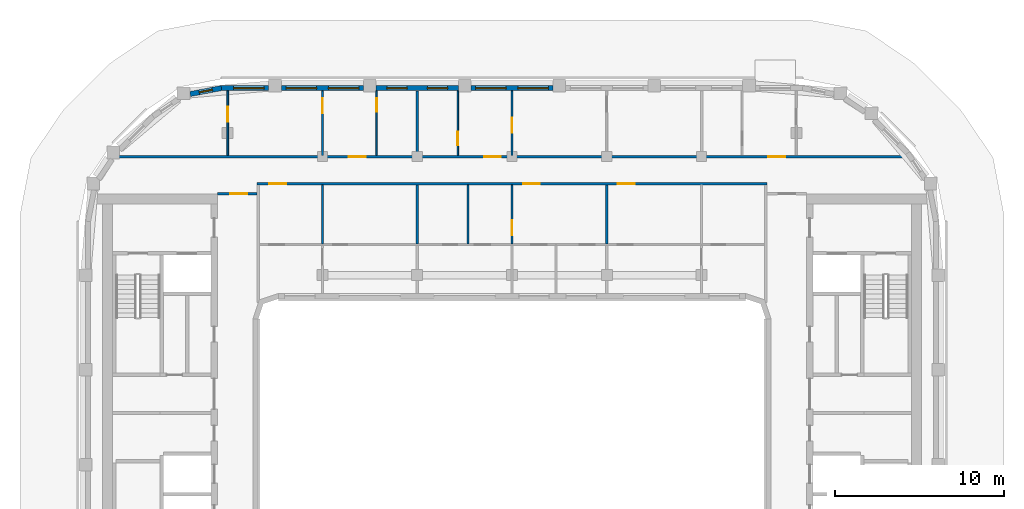
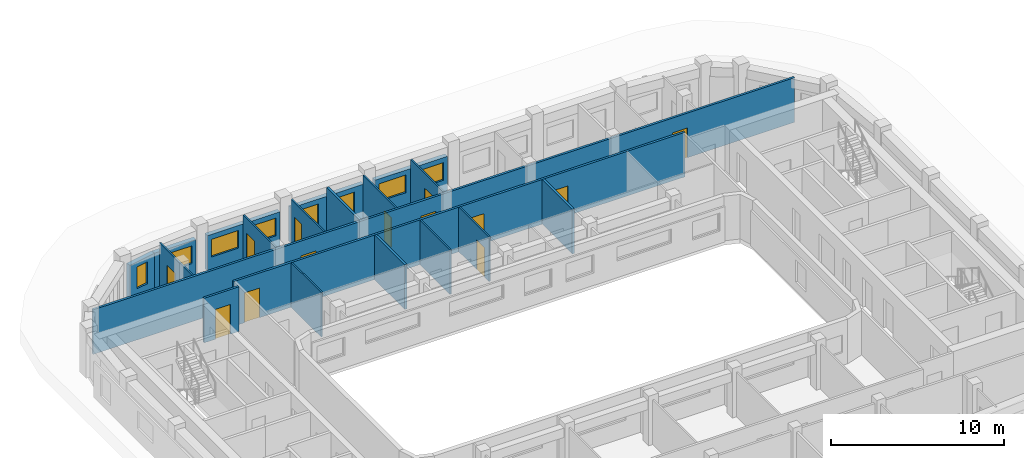
# One storey, part 7 of 14: 19 walls, 13 doors, 8 windows, 21 openings.
"""IFC4 building model written with IfcOpenShell, lengths in metres."""

from ifc_helpers import new_model, si_unit, direction, frame, frame_2d, origin, place, context, subcontext, project, spatial, rectangle, extrude, material, layer, layer_set, type_object, element, fill, save


model = new_model("IFC4")

# Units and contexts
model_context = context("Model", 3, precision=1e-05, world=origin(), true_north=direction((0.0, 1.0)))
body_context = subcontext(model_context, "Body", "Model", "MODEL_VIEW")
ifc_project = project(units=[si_unit("LENGTHUNIT", "METRE"), si_unit("AREAUNIT", "SQUARE_METRE"), si_unit("VOLUMEUNIT", "CUBIC_METRE"), si_unit("PLANEANGLEUNIT", "RADIAN"), si_unit("MASSUNIT", "GRAM", prefix="KILO")], contexts=[model_context])

# Site, building, storey
site_placement = place(None, origin())
site = spatial("IfcSite", under=ifc_project, at=site_placement, CompositionType="ELEMENT")
building_placement = place(site_placement, origin())
building = spatial("IfcBuilding", under=site, at=building_placement, Name="Kiln Ring Residences", CompositionType="ELEMENT")
storey_placement = place(building_placement, frame((0.0, 0.0, 280.199951171875)))
storey = spatial("IfcBuildingStorey", under=building, at=storey_placement, Name="L73", CompositionType="ELEMENT", Elevation=280.199951171875)

# Wall, openings, windows
ifc_material_1 = material(Name="Brick masonry, dark clay brick", Category="masonry")
ifc_layer_1 = layer(ifc_material_1, 0.300048828125)
ifc_layer_set_1 = layer_set([ifc_layer_1], Name="EW-300 BRICK WALL")
wall_type_1 = type_object("IfcWallType", Name="EW-300 BRICK WALL", PredefinedType="SOLIDWALL", material=ifc_layer_set_1)
wall_1_placement = place(storey_placement, frame((2.425048828125, 19.449951171875, 0.0), z_axis=(0.0, 0.0, 1.0), x_axis=(-1.0, 0.0, 0.0)))
wall_1 = element("IfcWall", 1, at=wall_1_placement, inside=storey, type_object=wall_type_1, Name="Facade wall L73 29", PredefinedType="SOLIDWALL", context=body_context, shape_type="SweptSolid", body=[
    extrude(rectangle(XDim=4.85009765625, YDim=0.300048828125, at=frame_2d((2.425048828125, 0.0))), origin(), (0.0, 0.0, 1.0), 2.5),
])
opening_1_placement = place(wall_1_placement, frame((0.27490234375, 0.0, 0.89990234375)))
opening_1 = element("IfcOpeningElement", 2, at=opening_1_placement, cuts=wall_1, Name="Opening W2", PredefinedType="OPENING", context=body_context, shape_type="SweptSolid", body=[
    extrude(rectangle(XDim=1.800048828125, YDim=1.25, at=frame_2d((0.89990234375, 0.625))), frame((0.0, 0.159912109375, 0.0), z_axis=(0.0, -1.0, 0.0), x_axis=(1.0, 0.0, 0.0)), (0.0, 0.0, 1.0), 0.320068359375),
])
opening_2_placement = place(wall_1_placement, frame((2.77490234375, 0.0, 0.89990234375)))
opening_2 = element("IfcOpeningElement", 3, at=opening_2_placement, cuts=wall_1, Name="Opening W2", PredefinedType="OPENING", context=body_context, shape_type="SweptSolid", body=[
    extrude(rectangle(XDim=1.800048828125, YDim=1.25, at=frame_2d((0.89990234375, 0.625))), frame((0.0, 0.159912109375, 0.0), z_axis=(0.0, -1.0, 0.0), x_axis=(1.0, 0.0, 0.0)), (0.0, 0.0, 1.0), 0.320068359375),
])
ifc_material_2 = material(Name="Aluminium frame with double glazing", Category="aluminium")
window_type_1 = type_object("IfcWindowType", Name="WINDOW 1800 x 1250", PartitioningType="SINGLE_PANEL", PredefinedType="WINDOW", material=ifc_material_2)
window_1_placement = place(opening_1_placement, origin())
window_1 = element("IfcWindow", 4, at=window_1_placement, inside=storey, type_object=window_type_1, Name="Window L73 26", OverallHeight=1.25, OverallWidth=1.800048828125, PartitioningType="SINGLE_PANEL", PredefinedType="WINDOW", context=body_context, shape_type="SweptSolid", body=[
    extrude(rectangle(XDim=1.800048828125, YDim=1.25, at=frame_2d((0.89990234375, 0.625))), frame((0.0, 0.030029296875, 0.0), z_axis=(0.0, -1.0, 0.0), x_axis=(1.0, 0.0, 0.0)), (0.0, 0.0, 1.0), 0.06005859375),
])
fill(opening_1, window_1)
window_2_placement = place(opening_2_placement, origin())
window_2 = element("IfcWindow", 5, at=window_2_placement, inside=storey, type_object=window_type_1, Name="Window L73 27", OverallHeight=1.25, OverallWidth=1.800048828125, PartitioningType="SINGLE_PANEL", PredefinedType="WINDOW", context=body_context, shape_type="SweptSolid", body=[
    extrude(rectangle(XDim=1.800048828125, YDim=1.25, at=frame_2d((0.89990234375, 0.625))), frame((0.0, 0.030029296875, 0.0), z_axis=(0.0, -1.0, 0.0), x_axis=(1.0, 0.0, 0.0)), (0.0, 0.0, 1.0), 0.06005859375),
])
fill(opening_2, window_2)

wall_2_placement = place(storey_placement, frame((-3.175048828125, 19.449951171875, 0.0), z_axis=(0.0, 0.0, 1.0), x_axis=(-1.0, 0.0, 0.0)))
wall_2 = element("IfcWall", 6, at=wall_2_placement, inside=storey, type_object=wall_type_1, Name="Facade wall L73 30", PredefinedType="SOLIDWALL", context=body_context, shape_type="SweptSolid", body=[
    extrude(rectangle(XDim=4.849853515625, YDim=0.300048828125, at=frame_2d((2.4248046875, 0.0))), origin(), (0.0, 0.0, 1.0), 2.5),
])
opening_3_placement = place(wall_2_placement, frame((0.625, 0.0, 0.60009765625)))
opening_3 = element("IfcOpeningElement", 7, at=opening_3_placement, cuts=wall_2, Name="Opening W1", PredefinedType="OPENING", context=body_context, shape_type="SweptSolid", body=[
    extrude(rectangle(XDim=1.199951171875, YDim=1.550048828125, at=frame_2d((0.60009765625, 0.77490234375))), frame((0.0, 0.159912109375, 0.0), z_axis=(0.0, -1.0, 0.0), x_axis=(1.0, 0.0, 0.0)), (0.0, 0.0, 1.0), 0.320068359375),
])
opening_4_placement = place(wall_2_placement, frame((3.02490234375, 0.0, 0.60009765625)))
opening_4 = element("IfcOpeningElement", 8, at=opening_4_placement, cuts=wall_2, Name="Opening W1", PredefinedType="OPENING", context=body_context, shape_type="SweptSolid", body=[
    extrude(rectangle(XDim=1.199951171875, YDim=1.550048828125, at=frame_2d((0.60009765625, 0.77490234375))), frame((0.0, 0.159912109375, 0.0), z_axis=(0.0, -1.0, 0.0), x_axis=(1.0, 0.0, 0.0)), (0.0, 0.0, 1.0), 0.320068359375),
])
ifc_material_3 = material(Name="Aluminium frame with double glazing", Category="aluminium")
window_type_2 = type_object("IfcWindowType", Name="WINDOW 1200 x 1550", PartitioningType="SINGLE_PANEL", PredefinedType="WINDOW", material=ifc_material_3)
window_3_placement = place(opening_3_placement, origin())
window_3 = element("IfcWindow", 9, at=window_3_placement, inside=storey, type_object=window_type_2, Name="Window L73 28", OverallHeight=1.550048828125, OverallWidth=1.199951171875, PartitioningType="SINGLE_PANEL", PredefinedType="WINDOW", context=body_context, shape_type="SweptSolid", body=[
    extrude(rectangle(XDim=1.199951171875, YDim=1.550048828125, at=frame_2d((0.60009765625, 0.77490234375))), frame((0.0, 0.030029296875, 0.0), z_axis=(0.0, -1.0, 0.0), x_axis=(1.0, 0.0, 0.0)), (0.0, 0.0, 1.0), 0.06005859375),
])
fill(opening_3, window_3)
window_4_placement = place(opening_4_placement, origin())
window_4 = element("IfcWindow", 10, at=window_4_placement, inside=storey, type_object=window_type_2, Name="Window L73 29", OverallHeight=1.550048828125, OverallWidth=1.199951171875, PartitioningType="SINGLE_PANEL", PredefinedType="WINDOW", context=body_context, shape_type="SweptSolid", body=[
    extrude(rectangle(XDim=1.199951171875, YDim=1.550048828125, at=frame_2d((0.60009765625, 0.77490234375))), frame((0.0, 0.030029296875, 0.0), z_axis=(0.0, -1.0, 0.0), x_axis=(1.0, 0.0, 0.0)), (0.0, 0.0, 1.0), 0.06005859375),
])
fill(opening_4, window_4)

wall_3_placement = place(storey_placement, frame((-8.77490234375, 19.449951171875, 0.0), z_axis=(0.0, 0.0, 1.0), x_axis=(-1.0, 0.0, 0.0)))
wall_3 = element("IfcWall", 11, at=wall_3_placement, inside=storey, type_object=wall_type_1, Name="Facade wall L73 31", PredefinedType="SOLIDWALL", context=body_context, shape_type="SweptSolid", body=[
    extrude(rectangle(XDim=4.85009765625, YDim=0.300048828125, at=frame_2d((2.425048828125, 0.0))), origin(), (0.0, 0.0, 1.0), 2.5),
])
opening_5_placement = place(wall_3_placement, frame((0.27490234375, 0.0, 0.89990234375)))
opening_5 = element("IfcOpeningElement", 12, at=opening_5_placement, cuts=wall_3, Name="Opening W2", PredefinedType="OPENING", context=body_context, shape_type="SweptSolid", body=[
    extrude(rectangle(XDim=1.800048828125, YDim=1.25, at=frame_2d((0.89990234375, 0.625))), frame((0.0, 0.159912109375, 0.0), z_axis=(0.0, -1.0, 0.0), x_axis=(1.0, 0.0, 0.0)), (0.0, 0.0, 1.0), 0.320068359375),
])
opening_6_placement = place(wall_3_placement, frame((2.77490234375, 0.0, 0.89990234375)))
opening_6 = element("IfcOpeningElement", 13, at=opening_6_placement, cuts=wall_3, Name="Opening W2", PredefinedType="OPENING", context=body_context, shape_type="SweptSolid", body=[
    extrude(rectangle(XDim=1.800048828125, YDim=1.25, at=frame_2d((0.89990234375, 0.625))), frame((0.0, 0.159912109375, 0.0), z_axis=(0.0, -1.0, 0.0), x_axis=(1.0, 0.0, 0.0)), (0.0, 0.0, 1.0), 0.320068359375),
])
window_5_placement = place(opening_5_placement, origin())
window_5 = element("IfcWindow", 14, at=window_5_placement, inside=storey, type_object=window_type_1, Name="Window L73 30", OverallHeight=1.25, OverallWidth=1.800048828125, PartitioningType="SINGLE_PANEL", PredefinedType="WINDOW", context=body_context, shape_type="SweptSolid", body=[
    extrude(rectangle(XDim=1.800048828125, YDim=1.25, at=frame_2d((0.89990234375, 0.625))), frame((0.0, 0.030029296875, 0.0), z_axis=(0.0, -1.0, 0.0), x_axis=(1.0, 0.0, 0.0)), (0.0, 0.0, 1.0), 0.06005859375),
])
fill(opening_5, window_5)
window_6_placement = place(opening_6_placement, origin())
window_6 = element("IfcWindow", 15, at=window_6_placement, inside=storey, type_object=window_type_1, Name="Window L73 31", OverallHeight=1.25, OverallWidth=1.800048828125, PartitioningType="SINGLE_PANEL", PredefinedType="WINDOW", context=body_context, shape_type="SweptSolid", body=[
    extrude(rectangle(XDim=1.800048828125, YDim=1.25, at=frame_2d((0.89990234375, 0.625))), frame((0.0, 0.030029296875, 0.0), z_axis=(0.0, -1.0, 0.0), x_axis=(1.0, 0.0, 0.0)), (0.0, 0.0, 1.0), 0.06005859375),
])
fill(opening_6, window_6)

# Wall, opening, window
wall_4_placement = place(storey_placement, frame((-14.375, 19.449951171875, 0.0), z_axis=(0.0, 0.0, 1.0), x_axis=(-1.0, 0.0, 0.0)))
wall_4 = element("IfcWall", 16, at=wall_4_placement, inside=storey, type_object=wall_type_1, Name="Facade wall L73 32", PredefinedType="SOLIDWALL", context=body_context, shape_type="SweptSolid", body=[
    extrude(rectangle(XDim=2.824951171875, YDim=0.300048828125, at=frame_2d((1.41259765625, 0.0))), origin(), (0.0, 0.0, 1.0), 2.5),
])
opening_7_placement = place(wall_4_placement, frame((0.27490234375, 0.0, 0.89990234375)))
opening_7 = element("IfcOpeningElement", 17, at=opening_7_placement, cuts=wall_4, Name="Opening W2", PredefinedType="OPENING", context=body_context, shape_type="SweptSolid", body=[
    extrude(rectangle(XDim=1.800048828125, YDim=1.25, at=frame_2d((0.89990234375, 0.625))), frame((0.0, 0.159912109375, 0.0), z_axis=(0.0, -1.0, 0.0), x_axis=(1.0, 0.0, 0.0)), (0.0, 0.0, 1.0), 0.320068359375),
])
window_7_placement = place(opening_7_placement, origin())
window_7 = element("IfcWindow", 18, at=window_7_placement, inside=storey, type_object=window_type_1, Name="Window L73 32", OverallHeight=1.25, OverallWidth=1.800048828125, PartitioningType="SINGLE_PANEL", PredefinedType="WINDOW", context=body_context, shape_type="SweptSolid", body=[
    extrude(rectangle(XDim=1.800048828125, YDim=1.25, at=frame_2d((0.89990234375, 0.625))), frame((0.0, 0.030029296875, 0.0), z_axis=(0.0, -1.0, 0.0), x_axis=(1.0, 0.0, 0.0)), (0.0, 0.0, 1.0), 0.06005859375),
])
fill(opening_7, window_7)

wall_5_placement = place(storey_placement, frame((-17.171875, 19.45263671875, 0.0), z_axis=(0.0, 0.0, 1.0), x_axis=(-0.982284001233, -0.187398348234, 0.0)))
wall_5 = element("IfcWall", 19, at=wall_5_placement, inside=storey, type_object=wall_type_1, Name="Facade wall L73 33", PredefinedType="SOLIDWALL", context=body_context, shape_type="SweptSolid", body=[
    extrude(rectangle(XDim=1.88134765625, YDim=0.300048828125, at=frame_2d((0.940673828125, 0.0))), origin(), (0.0, 0.0, 1.0), 2.5),
])
opening_8_placement = place(wall_5_placement, frame((0.54052734375, 0.0, 0.60009765625)))
opening_8 = element("IfcOpeningElement", 20, at=opening_8_placement, cuts=wall_5, Name="Opening W5", PredefinedType="OPENING", context=body_context, shape_type="SweptSolid", body=[
    extrude(rectangle(XDim=0.800048828125, YDim=1.550048828125, at=frame_2d((0.39990234375, 0.77490234375))), frame((0.0, 0.159912109375, 0.0), z_axis=(0.0, -1.0, 0.0), x_axis=(1.0, 0.0, 0.0)), (0.0, 0.0, 1.0), 0.320068359375),
])
ifc_material_4 = material(Name="Aluminium frame with double glazing", Category="aluminium")
window_type_3 = type_object("IfcWindowType", Name="WINDOW 800 x 1550", PartitioningType="SINGLE_PANEL", PredefinedType="WINDOW", material=ifc_material_4)
window_8_placement = place(opening_8_placement, origin())
window_8 = element("IfcWindow", 21, at=window_8_placement, inside=storey, type_object=window_type_3, Name="Window L73 33", OverallHeight=1.550048828125, OverallWidth=0.800048828125, PartitioningType="SINGLE_PANEL", PredefinedType="WINDOW", context=body_context, shape_type="SweptSolid", body=[
    extrude(rectangle(XDim=0.800048828125, YDim=1.550048828125, at=frame_2d((0.39990234375, 0.77490234375))), frame((0.0, 0.030029296875, 0.0), z_axis=(0.0, -1.0, 0.0), x_axis=(1.0, 0.0, 0.0)), (0.0, 0.0, 1.0), 0.06005859375),
])
fill(opening_8, window_8)

# Wall, opening, door
ifc_material_5 = material(Name="Gypsum board on steel studs", Category="steel")
ifc_layer_2 = layer(ifc_material_5, 0.10009765625)
ifc_layer_set_2 = layer_set([ifc_layer_2], Name="PARTITION-100")
wall_type_2 = type_object("IfcWallType", Name="PARTITION-100", PredefinedType="PARTITIONING", material=ifc_layer_set_2)
wall_6_placement = place(storey_placement, frame((-16.800048828125, 15.47509765625, 0.0), z_axis=(0.0, 0.0, 1.0), x_axis=(0.0, 1.0, 0.0)))
wall_6 = element("IfcWall", 22, at=wall_6_placement, inside=storey, type_object=wall_type_2, Name="Partition 010", PredefinedType="PARTITIONING", context=body_context, shape_type="SweptSolid", body=[
    extrude(rectangle(XDim=3.804931640625, YDim=0.10009765625, at=frame_2d((1.90234375, 0.0))), origin(), (0.0, 0.0, 1.0), 3.150146484375),
])
opening_9_placement = place(wall_6_placement, frame((1.985107421875, 0.0, 0.0)))
opening_9 = element("IfcOpeningElement", 23, at=opening_9_placement, cuts=wall_6, Name="Opening L73-D022", PredefinedType="OPENING", context=body_context, shape_type="SweptSolid", body=[
    extrude(rectangle(XDim=0.89990234375, YDim=2.10009765625, at=frame_2d((0.449951171875, 1.050048828125))), frame((0.0, 0.06005859375, 0.0), z_axis=(0.0, -1.0, 0.0), x_axis=(1.0, 0.0, 0.0)), (0.0, 0.0, 1.0), 0.1201171875),
])
ifc_material_6 = material(Name="Timber door leaf", Category="wood")
door_type_1 = type_object("IfcDoorType", Name="FLAT-DOOR-900-PL", OperationType="SINGLE_SWING_LEFT", PredefinedType="DOOR", material=ifc_material_6)
door_1_placement = place(opening_9_placement, origin())
door_1 = element("IfcDoor", 24, at=door_1_placement, inside=storey, type_object=door_type_1, Name="Door L73-D022", OperationType="SINGLE_SWING_LEFT", OverallHeight=2.10009765625, OverallWidth=0.89990234375, PredefinedType="DOOR", context=body_context, shape_type="SweptSolid", body=[
    extrude(rectangle(XDim=0.89990234375, YDim=2.10009765625, at=frame_2d((0.449951171875, 1.050048828125))), frame((0.0, 0.02490234375, 0.0), z_axis=(0.0, -1.0, 0.0), x_axis=(1.0, 0.0, 0.0)), (0.0, 0.0, 1.0), 0.050048828125),
])
fill(opening_9, door_1)

# Wall
wall_7_placement = place(storey_placement, frame((-11.199951171875, 10.25, 0.0), z_axis=(0.0, 0.0, 1.0), x_axis=(0.0, 1.0, 0.0)))
element("IfcWall", 25, at=wall_7_placement, inside=storey, type_object=wall_type_2, Name="Partition 016", PredefinedType="PARTITIONING", context=body_context, shape_type="SweptSolid", body=[
    extrude(rectangle(XDim=3.47509765625, YDim=0.10009765625, at=frame_2d((1.737548828125, 0.0))), origin(), (0.0, 0.0, 1.0), 3.150146484375),
])

# Wall, opening, door
wall_8_placement = place(storey_placement, frame((-11.199951171875, 15.47509765625, 0.0), z_axis=(0.0, 0.0, 1.0), x_axis=(0.0, 1.0, 0.0)))
wall_8 = element("IfcWall", 26, at=wall_8_placement, inside=storey, type_object=wall_type_2, Name="Partition 017", PredefinedType="PARTITIONING", context=body_context, shape_type="SweptSolid", body=[
    extrude(rectangle(XDim=3.804931640625, YDim=0.10009765625, at=frame_2d((1.90234375, 0.0))), origin(), (0.0, 0.0, 1.0), 3.150146484375),
])
opening_10_placement = place(wall_8_placement, frame((2.485107421875, 0.0, 0.0)))
opening_10 = element("IfcOpeningElement", 27, at=opening_10_placement, cuts=wall_8, Name="Opening L73-D021", PredefinedType="OPENING", context=body_context, shape_type="SweptSolid", body=[
    extrude(rectangle(XDim=0.89990234375, YDim=2.10009765625, at=frame_2d((0.449951171875, 1.050048828125))), frame((0.0, 0.06005859375, 0.0), z_axis=(0.0, -1.0, 0.0), x_axis=(1.0, 0.0, 0.0)), (0.0, 0.0, 1.0), 0.1201171875),
])
door_2_placement = place(opening_10_placement, origin())
door_2 = element("IfcDoor", 28, at=door_2_placement, inside=storey, type_object=door_type_1, Name="Door L73-D021", OperationType="SINGLE_SWING_LEFT", OverallHeight=2.10009765625, OverallWidth=0.89990234375, PredefinedType="DOOR", context=body_context, shape_type="SweptSolid", body=[
    extrude(rectangle(XDim=0.89990234375, YDim=2.10009765625, at=frame_2d((0.449951171875, 1.050048828125))), frame((0.0, 0.02490234375, 0.0), z_axis=(0.0, -1.0, 0.0), x_axis=(1.0, 0.0, 0.0)), (0.0, 0.0, 1.0), 0.050048828125),
])
fill(opening_10, door_2)

wall_9_placement = place(storey_placement, frame((-8.0, 15.47509765625, 0.0), z_axis=(0.0, 0.0, 1.0), x_axis=(0.0, 1.0, 0.0)))
wall_9 = element("IfcWall", 29, at=wall_9_placement, inside=storey, type_object=wall_type_2, Name="Partition 019", PredefinedType="PARTITIONING", context=body_context, shape_type="SweptSolid", body=[
    extrude(rectangle(XDim=3.804931640625, YDim=0.10009765625, at=frame_2d((1.90234375, 0.0))), origin(), (0.0, 0.0, 1.0), 3.150146484375),
])
opening_11_placement = place(wall_9_placement, frame((2.575927734375, 0.0, 0.0)))
opening_11 = element("IfcOpeningElement", 30, at=opening_11_placement, cuts=wall_9, Name="Opening L73-D020", PredefinedType="OPENING", context=body_context, shape_type="SweptSolid", body=[
    extrude(rectangle(XDim=0.800048828125, YDim=2.10009765625, at=frame_2d((0.39990234375, 1.050048828125))), frame((0.0, 0.06005859375, 0.0), z_axis=(0.0, -1.0, 0.0), x_axis=(1.0, 0.0, 0.0)), (0.0, 0.0, 1.0), 0.1201171875),
])
ifc_material_7 = material(Name="Timber door leaf", Category="wood")
door_type_2 = type_object("IfcDoorType", Name="FLAT-DOOR-800-PL", OperationType="SINGLE_SWING_LEFT", PredefinedType="DOOR", material=ifc_material_7)
door_3_placement = place(opening_11_placement, origin())
door_3 = element("IfcDoor", 31, at=door_3_placement, inside=storey, type_object=door_type_2, Name="Door L73-D020", OperationType="SINGLE_SWING_RIGHT", OverallHeight=2.10009765625, OverallWidth=0.800048828125, PredefinedType="DOOR", context=body_context, shape_type="SweptSolid", body=[
    extrude(rectangle(XDim=0.800048828125, YDim=2.10009765625, at=frame_2d((0.39990234375, 1.050048828125))), frame((0.0, 0.02490234375, 0.0), z_axis=(0.0, -1.0, 0.0), x_axis=(1.0, 0.0, 0.0)), (0.0, 0.0, 1.0), 0.050048828125),
])
fill(opening_11, door_3)

wall_10_placement = place(storey_placement, frame((-3.199951171875, 15.47509765625, 0.0), z_axis=(0.0, 0.0, 1.0), x_axis=(0.0, 1.0, 0.0)))
wall_10 = element("IfcWall", 32, at=wall_10_placement, inside=storey, type_object=wall_type_2, Name="Partition 026", PredefinedType="PARTITIONING", context=body_context, shape_type="SweptSolid", body=[
    extrude(rectangle(XDim=3.804931640625, YDim=0.10009765625, at=frame_2d((1.90234375, 0.0))), origin(), (0.0, 0.0, 1.0), 3.150146484375),
])
opening_12_placement = place(wall_10_placement, frame((0.5849609375, 0.0, 0.0)))
opening_12 = element("IfcOpeningElement", 33, at=opening_12_placement, cuts=wall_10, Name="Opening L73-D024", PredefinedType="OPENING", context=body_context, shape_type="SweptSolid", body=[
    extrude(rectangle(XDim=0.800048828125, YDim=2.10009765625, at=frame_2d((0.39990234375, 1.050048828125))), frame((0.0, 0.06005859375, 0.0), z_axis=(0.0, -1.0, 0.0), x_axis=(1.0, 0.0, 0.0)), (0.0, 0.0, 1.0), 0.1201171875),
])
door_4_placement = place(opening_12_placement, origin())
door_4 = element("IfcDoor", 34, at=door_4_placement, inside=storey, type_object=door_type_2, Name="Door L73-D024", OperationType="SINGLE_SWING_RIGHT", OverallHeight=2.10009765625, OverallWidth=0.800048828125, PredefinedType="DOOR", context=body_context, shape_type="SweptSolid", body=[
    extrude(rectangle(XDim=0.800048828125, YDim=2.10009765625, at=frame_2d((0.39990234375, 1.050048828125))), frame((0.0, 0.02490234375, 0.0), z_axis=(0.0, -1.0, 0.0), x_axis=(1.0, 0.0, 0.0)), (0.0, 0.0, 1.0), 0.050048828125),
])
fill(opening_12, door_4)

# Wall
wall_11_placement = place(storey_placement, frame((-2.60009765625, 10.25, 0.0), z_axis=(0.0, 0.0, 1.0), x_axis=(0.0, 1.0, 0.0)))
element("IfcWall", 35, at=wall_11_placement, inside=storey, type_object=wall_type_2, Name="Partition 027", PredefinedType="PARTITIONING", context=body_context, shape_type="SweptSolid", body=[
    extrude(rectangle(XDim=3.47509765625, YDim=0.10009765625, at=frame_2d((1.737548828125, 0.0))), origin(), (0.0, 0.0, 1.0), 3.150146484375),
])

# Wall, opening, door
wall_12_placement = place(storey_placement, frame((0.0, 10.25, 0.0), z_axis=(0.0, 0.0, 1.0), x_axis=(0.0, 1.0, 0.0)))
wall_12 = element("IfcWall", 36, at=wall_12_placement, inside=storey, type_object=wall_type_2, Name="Partition 031", PredefinedType="PARTITIONING", context=body_context, shape_type="SweptSolid", body=[
    extrude(rectangle(XDim=3.47509765625, YDim=0.10009765625, at=frame_2d((1.737548828125, 0.0))), origin(), (0.0, 0.0, 1.0), 3.150146484375),
])
opening_13_placement = place(wall_12_placement, frame((0.4990234375, 0.0, 0.0)))
opening_13 = element("IfcOpeningElement", 37, at=opening_13_placement, cuts=wall_12, Name="Opening L73-D010", PredefinedType="OPENING", context=body_context, shape_type="SweptSolid", body=[
    extrude(rectangle(XDim=0.89990234375, YDim=2.10009765625, at=frame_2d((0.449951171875, 1.050048828125))), frame((0.0, 0.06005859375, 0.0), z_axis=(0.0, -1.0, 0.0), x_axis=(1.0, 0.0, 0.0)), (0.0, 0.0, 1.0), 0.1201171875),
])
door_5_placement = place(opening_13_placement, origin())
door_5 = element("IfcDoor", 38, at=door_5_placement, inside=storey, type_object=door_type_1, Name="Door L73-D010", OperationType="SINGLE_SWING_RIGHT", OverallHeight=2.10009765625, OverallWidth=0.89990234375, PredefinedType="DOOR", context=body_context, shape_type="SweptSolid", body=[
    extrude(rectangle(XDim=0.89990234375, YDim=2.10009765625, at=frame_2d((0.449951171875, 1.050048828125))), frame((0.0, 0.02490234375, 0.0), z_axis=(0.0, -1.0, 0.0), x_axis=(1.0, 0.0, 0.0)), (0.0, 0.0, 1.0), 0.050048828125),
])
fill(opening_13, door_5)

wall_13_placement = place(storey_placement, frame((0.0, 15.47509765625, 0.0), z_axis=(0.0, 0.0, 1.0), x_axis=(0.0, 1.0, 0.0)))
wall_13 = element("IfcWall", 39, at=wall_13_placement, inside=storey, type_object=wall_type_2, Name="Partition 032", PredefinedType="PARTITIONING", context=body_context, shape_type="SweptSolid", body=[
    extrude(rectangle(XDim=3.804931640625, YDim=0.10009765625, at=frame_2d((1.90234375, 0.0))), origin(), (0.0, 0.0, 1.0), 3.150146484375),
])
opening_14_placement = place(wall_13_placement, frame((1.325927734375, 0.0, 0.0)))
opening_14 = element("IfcOpeningElement", 40, at=opening_14_placement, cuts=wall_13, Name="Opening L73-D025", PredefinedType="OPENING", context=body_context, shape_type="SweptSolid", body=[
    extrude(rectangle(XDim=0.89990234375, YDim=2.10009765625, at=frame_2d((0.449951171875, 1.050048828125))), frame((0.0, 0.06005859375, 0.0), z_axis=(0.0, -1.0, 0.0), x_axis=(1.0, 0.0, 0.0)), (0.0, 0.0, 1.0), 0.1201171875),
])
door_6_placement = place(opening_14_placement, origin())
door_6 = element("IfcDoor", 41, at=door_6_placement, inside=storey, type_object=door_type_1, Name="Door L73-D025", OperationType="SINGLE_SWING_LEFT", OverallHeight=2.10009765625, OverallWidth=0.89990234375, PredefinedType="DOOR", context=body_context, shape_type="SweptSolid", body=[
    extrude(rectangle(XDim=0.89990234375, YDim=2.10009765625, at=frame_2d((0.449951171875, 1.050048828125))), frame((0.0, 0.02490234375, 0.0), z_axis=(0.0, -1.0, 0.0), x_axis=(1.0, 0.0, 0.0)), (0.0, 0.0, 1.0), 0.050048828125),
])
fill(opening_14, door_6)

ifc_material_8 = material(Name="Brick masonry partition", Category="masonry")
ifc_layer_3 = layer(ifc_material_8, 0.14990234375)
ifc_layer_set_3 = layer_set([ifc_layer_3], Name="PARTITION-150-ei60")
wall_type_3 = type_object("IfcWallType", Name="PARTITION-150-ei60", PredefinedType="PARTITIONING", material=ifc_layer_set_3)
wall_14_placement = place(storey_placement, frame((-17.39990234375, 13.199951171875, 0.0), z_axis=(0.0, 0.0, 1.0), x_axis=(1.0, 0.0, 0.0)))
wall_14 = element("IfcWall", 42, at=wall_14_placement, inside=storey, type_object=wall_type_3, Name="Partition 005", PredefinedType="PARTITIONING", context=body_context, shape_type="SweptSolid", body=[
    extrude(rectangle(XDim=2.324951171875, YDim=0.14990234375, at=frame_2d((1.16259765625, 0.0))), origin(), (0.0, 0.0, 1.0), 3.150146484375),
])
opening_15_placement = place(wall_14_placement, frame((0.75, 0.0, 0.0)))
opening_15 = element("IfcOpeningElement", 43, at=opening_15_placement, cuts=wall_14, Name="Opening L73-D001", PredefinedType="OPENING", context=body_context, shape_type="SweptSolid", body=[
    extrude(rectangle(XDim=1.0, YDim=2.10009765625, at=frame_2d((0.5, 1.050048828125))), frame((0.0, 0.0849609375, 0.0), z_axis=(0.0, -1.0, 0.0), x_axis=(1.0, 0.0, 0.0)), (0.0, 0.0, 1.0), 0.169921875),
])
ifc_material_9 = material(Name="Steel faced fire door leaf", Category="steel")
door_type_3 = type_object("IfcDoorType", Name="FLAT-DOOR-1000-FR", OperationType="SINGLE_SWING_LEFT", PredefinedType="DOOR", material=ifc_material_9)
door_7_placement = place(opening_15_placement, origin())
door_7 = element("IfcDoor", 44, at=door_7_placement, inside=storey, type_object=door_type_3, Name="Door L73-D001", OperationType="SINGLE_SWING_RIGHT", OverallHeight=2.10009765625, OverallWidth=1.0, PredefinedType="DOOR", context=body_context, shape_type="SweptSolid", body=[
    extrude(rectangle(XDim=1.0, YDim=2.10009765625, at=frame_2d((0.5, 1.050048828125))), frame((0.0, 0.02490234375, 0.0), z_axis=(0.0, -1.0, 0.0), x_axis=(1.0, 0.0, 0.0)), (0.0, 0.0, 1.0), 0.050048828125),
])
fill(opening_15, door_7)

# Wall, openings, doors
wall_15_placement = place(storey_placement, frame((-15.074951171875, 13.800048828125, 0.0), z_axis=(0.0, 0.0, 1.0), x_axis=(1.0, 0.0, 0.0)))
wall_15 = element("IfcWall", 45, at=wall_15_placement, inside=storey, type_object=wall_type_3, Name="Partition 007", PredefinedType="PARTITIONING", context=body_context, shape_type="SweptSolid", body=[
    extrude(rectangle(XDim=30.14990234375, YDim=0.14990234375, at=frame_2d((15.074951171875, 0.0))), origin(), (0.0, 0.0, 1.0), 3.150146484375),
])
opening_16_placement = place(wall_15_placement, frame((0.72607421875, 0.0, 0.0)))
opening_16 = element("IfcOpeningElement", 46, at=opening_16_placement, cuts=wall_15, Name="Opening L73-D005", PredefinedType="OPENING", context=body_context, shape_type="SweptSolid", body=[
    extrude(rectangle(XDim=1.0, YDim=2.10009765625, at=frame_2d((0.5, 1.050048828125))), frame((0.0, 0.0849609375, 0.0), z_axis=(0.0, -1.0, 0.0), x_axis=(1.0, 0.0, 0.0)), (0.0, 0.0, 1.0), 0.169921875),
])
opening_17_placement = place(wall_15_placement, frame((15.72509765625, 0.0, 0.0)))
opening_17 = element("IfcOpeningElement", 47, at=opening_17_placement, cuts=wall_15, Name="Opening L73-D009", PredefinedType="OPENING", context=body_context, shape_type="SweptSolid", body=[
    extrude(rectangle(XDim=1.0, YDim=2.10009765625, at=frame_2d((0.5, 1.050048828125))), frame((0.0, 0.0849609375, 0.0), z_axis=(0.0, -1.0, 0.0), x_axis=(1.0, 0.0, 0.0)), (0.0, 0.0, 1.0), 0.169921875),
])
opening_18_placement = place(wall_15_placement, frame((21.324951171875, 0.0, 0.0)))
opening_18 = element("IfcOpeningElement", 48, at=opening_18_placement, cuts=wall_15, Name="Opening L73-D015", PredefinedType="OPENING", context=body_context, shape_type="SweptSolid", body=[
    extrude(rectangle(XDim=1.0, YDim=2.10009765625, at=frame_2d((0.5, 1.050048828125))), frame((0.0, 0.0849609375, 0.0), z_axis=(0.0, -1.0, 0.0), x_axis=(1.0, 0.0, 0.0)), (0.0, 0.0, 1.0), 0.169921875),
])
door_8_placement = place(opening_16_placement, origin())
door_8 = element("IfcDoor", 49, at=door_8_placement, inside=storey, type_object=door_type_3, Name="Door L73-D005", OperationType="SINGLE_SWING_LEFT", OverallHeight=2.10009765625, OverallWidth=1.0, PredefinedType="DOOR", context=body_context, shape_type="SweptSolid", body=[
    extrude(rectangle(XDim=1.0, YDim=2.10009765625, at=frame_2d((0.5, 1.050048828125))), frame((0.0, 0.02490234375, 0.0), z_axis=(0.0, -1.0, 0.0), x_axis=(1.0, 0.0, 0.0)), (0.0, 0.0, 1.0), 0.050048828125),
])
fill(opening_16, door_8)
door_9_placement = place(opening_17_placement, origin())
door_9 = element("IfcDoor", 50, at=door_9_placement, inside=storey, type_object=door_type_3, Name="Door L73-D009", OperationType="SINGLE_SWING_LEFT", OverallHeight=2.10009765625, OverallWidth=1.0, PredefinedType="DOOR", context=body_context, shape_type="SweptSolid", body=[
    extrude(rectangle(XDim=1.0, YDim=2.10009765625, at=frame_2d((0.5, 1.050048828125))), frame((0.0, 0.02490234375, 0.0), z_axis=(0.0, -1.0, 0.0), x_axis=(1.0, 0.0, 0.0)), (0.0, 0.0, 1.0), 0.050048828125),
])
fill(opening_17, door_9)
door_10_placement = place(opening_18_placement, origin())
door_10 = element("IfcDoor", 51, at=door_10_placement, inside=storey, type_object=door_type_3, Name="Door L73-D015", OperationType="SINGLE_SWING_LEFT", OverallHeight=2.10009765625, OverallWidth=1.0, PredefinedType="DOOR", context=body_context, shape_type="SweptSolid", body=[
    extrude(rectangle(XDim=1.0, YDim=2.10009765625, at=frame_2d((0.5, 1.050048828125))), frame((0.0, 0.02490234375, 0.0), z_axis=(0.0, -1.0, 0.0), x_axis=(1.0, 0.0, 0.0)), (0.0, 0.0, 1.0), 0.050048828125),
])
fill(opening_18, door_10)

wall_16_placement = place(storey_placement, frame((-23.550048828125, 15.39990234375, 0.0), z_axis=(0.0, 0.0, 1.0), x_axis=(1.0, 0.0, 0.0)))
wall_16 = element("IfcWall", 52, at=wall_16_placement, inside=storey, type_object=wall_type_3, Name="Partition 008", PredefinedType="PARTITIONING", context=body_context, shape_type="SweptSolid", body=[
    extrude(rectangle(XDim=46.8720703125, YDim=0.14990234375, at=frame_2d((23.43603515625, 0.0))), origin(), (0.0, 0.0, 1.0), 3.150146484375),
])
opening_19_placement = place(wall_16_placement, frame((13.89990234375, 0.0, 0.0)))
opening_19 = element("IfcOpeningElement", 53, at=opening_19_placement, cuts=wall_16, Name="Opening L73-D019", PredefinedType="OPENING", context=body_context, shape_type="SweptSolid", body=[
    extrude(rectangle(XDim=1.0, YDim=2.10009765625, at=frame_2d((0.5, 1.050048828125))), frame((0.0, 0.0849609375, 0.0), z_axis=(0.0, -1.0, 0.0), x_axis=(1.0, 0.0, 0.0)), (0.0, 0.0, 1.0), 0.169921875),
])
opening_20_placement = place(wall_16_placement, frame((21.89990234375, 0.0, 0.0)))
opening_20 = element("IfcOpeningElement", 54, at=opening_20_placement, cuts=wall_16, Name="Opening L73-D023", PredefinedType="OPENING", context=body_context, shape_type="SweptSolid", body=[
    extrude(rectangle(XDim=1.0, YDim=2.10009765625, at=frame_2d((0.5, 1.050048828125))), frame((0.0, 0.0849609375, 0.0), z_axis=(0.0, -1.0, 0.0), x_axis=(1.0, 0.0, 0.0)), (0.0, 0.0, 1.0), 0.169921875),
])
opening_21_placement = place(wall_16_placement, frame((38.699951171875, 0.0, 0.0)))
opening_21 = element("IfcOpeningElement", 55, at=opening_21_placement, cuts=wall_16, Name="Opening L73-D027", PredefinedType="OPENING", context=body_context, shape_type="SweptSolid", body=[
    extrude(rectangle(XDim=1.0, YDim=2.10009765625, at=frame_2d((0.5, 1.050048828125))), frame((0.0, 0.0849609375, 0.0), z_axis=(0.0, -1.0, 0.0), x_axis=(1.0, 0.0, 0.0)), (0.0, 0.0, 1.0), 0.169921875),
])
door_11_placement = place(opening_19_placement, origin())
door_11 = element("IfcDoor", 56, at=door_11_placement, inside=storey, type_object=door_type_3, Name="Door L73-D019", OperationType="SINGLE_SWING_LEFT", OverallHeight=2.10009765625, OverallWidth=1.0, PredefinedType="DOOR", context=body_context, shape_type="SweptSolid", body=[
    extrude(rectangle(XDim=1.0, YDim=2.10009765625, at=frame_2d((0.5, 1.050048828125))), frame((0.0, 0.02490234375, 0.0), z_axis=(0.0, -1.0, 0.0), x_axis=(1.0, 0.0, 0.0)), (0.0, 0.0, 1.0), 0.050048828125),
])
fill(opening_19, door_11)
door_12_placement = place(opening_20_placement, origin())
door_12 = element("IfcDoor", 57, at=door_12_placement, inside=storey, type_object=door_type_3, Name="Door L73-D023", OperationType="SINGLE_SWING_LEFT", OverallHeight=2.10009765625, OverallWidth=1.0, PredefinedType="DOOR", context=body_context, shape_type="SweptSolid", body=[
    extrude(rectangle(XDim=1.0, YDim=2.10009765625, at=frame_2d((0.5, 1.050048828125))), frame((0.0, 0.02490234375, 0.0), z_axis=(0.0, -1.0, 0.0), x_axis=(1.0, 0.0, 0.0)), (0.0, 0.0, 1.0), 0.050048828125),
])
fill(opening_20, door_12)
door_13_placement = place(opening_21_placement, origin())
door_13 = element("IfcDoor", 58, at=door_13_placement, inside=storey, type_object=door_type_3, Name="Door L73-D027", OperationType="SINGLE_SWING_LEFT", OverallHeight=2.10009765625, OverallWidth=1.0, PredefinedType="DOOR", context=body_context, shape_type="SweptSolid", body=[
    extrude(rectangle(XDim=1.0, YDim=2.10009765625, at=frame_2d((0.5, 1.050048828125))), frame((0.0, 0.02490234375, 0.0), z_axis=(0.0, -1.0, 0.0), x_axis=(1.0, 0.0, 0.0)), (0.0, 0.0, 1.0), 0.050048828125),
])
fill(opening_21, door_13)

# Walls
wall_17_placement = place(storey_placement, frame((-5.60009765625, 10.25, 0.0), z_axis=(0.0, 0.0, 1.0), x_axis=(0.0, 1.0, 0.0)))
element("IfcWall", 59, at=wall_17_placement, inside=storey, type_object=wall_type_3, Name="Partition 023", PredefinedType="PARTITIONING", context=body_context, shape_type="SweptSolid", body=[
    extrude(rectangle(XDim=3.47509765625, YDim=0.14990234375, at=frame_2d((1.737548828125, 0.0))), origin(), (0.0, 0.0, 1.0), 3.150146484375),
])
wall_18_placement = place(storey_placement, frame((-5.60009765625, 15.47509765625, 0.0), z_axis=(0.0, 0.0, 1.0), x_axis=(0.0, 1.0, 0.0)))
element("IfcWall", 60, at=wall_18_placement, inside=storey, type_object=wall_type_3, Name="Partition 024", PredefinedType="PARTITIONING", context=body_context, shape_type="SweptSolid", body=[
    extrude(rectangle(XDim=3.804931640625, YDim=0.14990234375, at=frame_2d((1.90234375, 0.0))), origin(), (0.0, 0.0, 1.0), 3.150146484375),
])
wall_19_placement = place(storey_placement, frame((5.60009765625, 10.25, 0.0), z_axis=(0.0, 0.0, 1.0), x_axis=(0.0, 1.0, 0.0)))
element("IfcWall", 61, at=wall_19_placement, inside=storey, type_object=wall_type_3, Name="Partition 038", PredefinedType="PARTITIONING", context=body_context, shape_type="SweptSolid", body=[
    extrude(rectangle(XDim=3.47509765625, YDim=0.14990234375, at=frame_2d((1.737548828125, 0.0))), origin(), (0.0, 0.0, 1.0), 3.150146484375),
])

save(model, "model.ifc")
